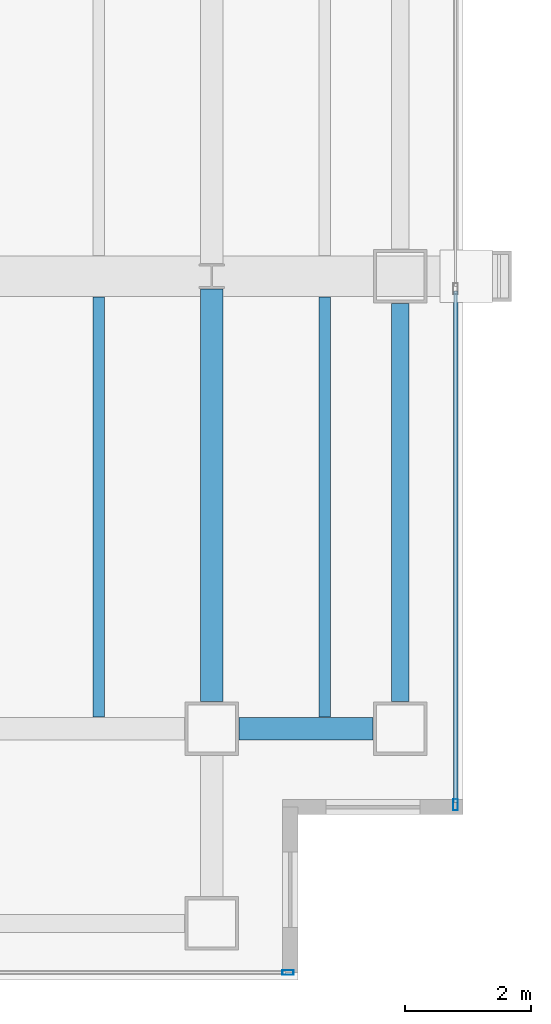
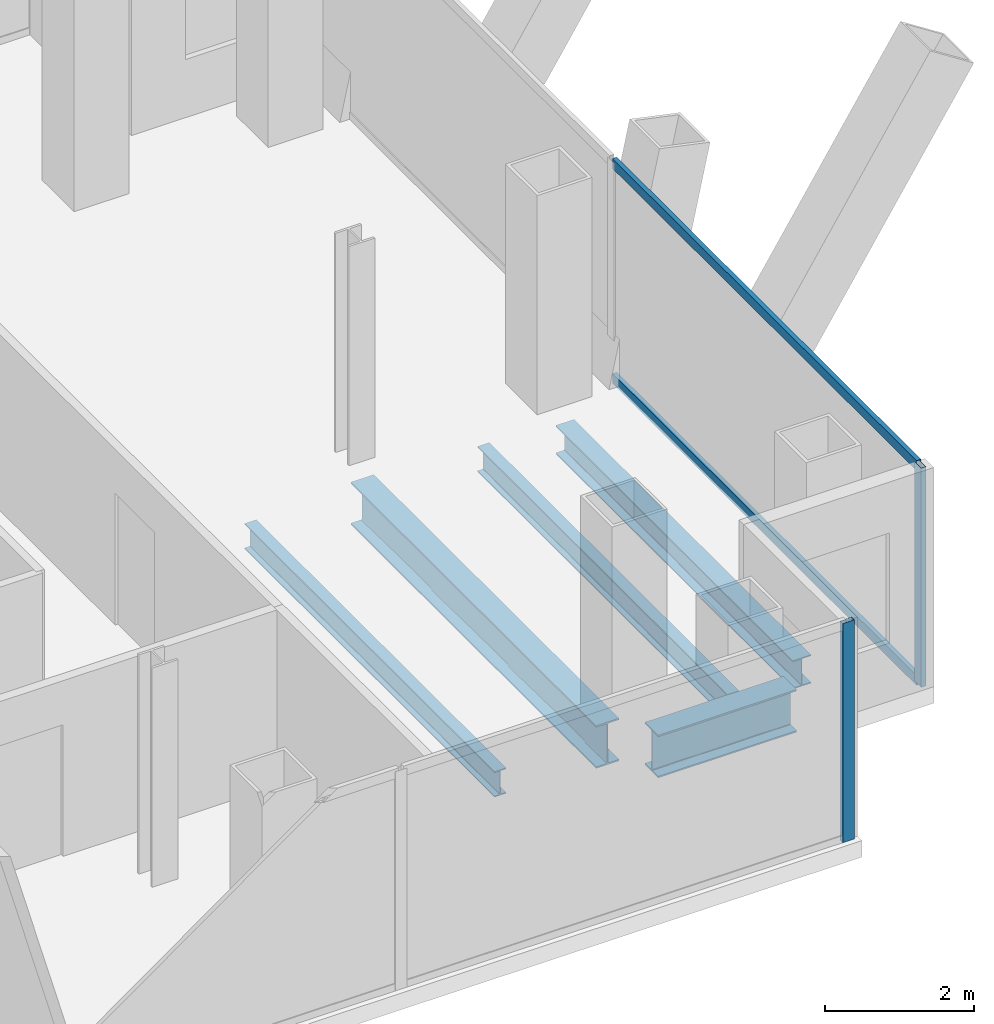
# One storey, part 11 of 23: 5 beams, 4 members, 2 elements without a shape of their own.
"""IFC4 building model written with IfcOpenShell, lengths in metres."""

from ifc_helpers import new_model, si_unit, direction, frame, origin, origin_2d, place, context, subcontext, project, spatial, hollow_rectangle, i_section, extrude, material, material_profile, profile_set, type_object, element, aggregate, save


model = new_model("IFC4")

# Units and contexts
model_context = context("Model", 3, precision=1e-05, world=origin(), true_north=direction((0.0, 1.0)))
body_context = subcontext(model_context, "Body", "Model", "MODEL_VIEW")
ifc_project = project(units=[si_unit("LENGTHUNIT", "METRE"), si_unit("AREAUNIT", "SQUARE_METRE"), si_unit("VOLUMEUNIT", "CUBIC_METRE"), si_unit("PLANEANGLEUNIT", "RADIAN"), si_unit("MASSUNIT", "GRAM", prefix="KILO")], contexts=[model_context])

# Site, building, storey
site_placement = place(None, origin())
site = spatial("IfcSite", under=ifc_project, at=site_placement, CompositionType="ELEMENT")
building_placement = place(site_placement, origin())
building = spatial("IfcBuilding", under=site, at=building_placement, Name="Cobrela Telecom Tower", CompositionType="ELEMENT")
storey_placement = place(building_placement, frame((0.0, 0.0, 159.949951171875)))
storey = spatial("IfcBuildingStorey", under=building, at=storey_placement, Name="L40", CompositionType="ELEMENT", Elevation=159.949951171875)

# Beams
ifc_material_1 = material(Name="Steel ASTM A992 Grade 50", Category="steel")
ifc_material_profile_1 = material_profile(ifc_material_1, i_section(OverallWidth=0.35595703125, OverallDepth=0.696044921875, WebThickness=0.015380859375, FlangeThickness=0.024658203125, FilletRadius=0.01806640625, at=origin_2d()), Name="W27X146")
ifc_profile_set_1 = profile_set([ifc_material_profile_1], Name="Steel ASTM A992 Grade 50")
beam_type_1 = type_object("IfcBeamType", Name="BM-GIRD-05", PredefinedType="USERDEFINED", material=ifc_profile_set_1)
beam_1_placement = place(storey_placement, frame((43.6298828125, 7.199951171875, -0.617919921875), z_axis=(1.0, 0.0, 0.0), x_axis=(0.0, 1.0, 0.0)))
element("IfcBeam", 1, at=beam_1_placement, inside=storey, type_object=beam_type_1, Name="L40 Primary Girder X12", ObjectType="GIRDER", PredefinedType="USERDEFINED", context=body_context, shape_type="SweptSolid", body=[
    extrude(i_section(OverallWidth=0.35595703125, OverallDepth=0.696044921875, WebThickness=0.015380859375, FlangeThickness=0.024658203125, FilletRadius=0.01806640625, at=origin_2d()), origin(), (0.0, 0.0, 1.0), 2.14013671875),
])
beam_2_placement = place(storey_placement, frame((43.199951171875, 7.6298828125, -0.617919921875), z_axis=(0.0, 1.0, 0.0), x_axis=(-1.0, 0.0, 0.0)))
element("IfcBeam", 2, at=beam_2_placement, inside=storey, type_object=beam_type_1, Name="L40 Primary Girder Y49", ObjectType="GIRDER", PredefinedType="USERDEFINED", context=body_context, shape_type="SweptSolid", body=[
    extrude(i_section(OverallWidth=0.35595703125, OverallDepth=0.696044921875, WebThickness=0.015380859375, FlangeThickness=0.024658203125, FilletRadius=0.01806640625, at=origin_2d()), origin(), (0.0, 0.0, 1.0), 6.565673828125),
])
ifc_material_profile_2 = material_profile(ifc_material_1, i_section(OverallWidth=0.179931640625, OverallDepth=0.4169921875, WebThickness=0.010986328125, FlangeThickness=0.01806640625, FilletRadius=0.011962890625, at=origin_2d()), Name="W16X57")
ifc_profile_set_2 = profile_set([ifc_material_profile_2], Name="Steel ASTM A992 Grade 50")
beam_type_2 = type_object("IfcBeamType", Name="BM-JOIST-04", PredefinedType="JOIST", material=ifc_profile_set_2)
for number, where, z_axis, x_axis, name in (
    (3, (41.39990234375, 7.383056640625, -0.478515625), (0.0, 1.0, 0.0), (-1.0, 0.0, 0.0), "L40 Secondary Composite Floor Beam J37"),
    (4, (45.0, 7.383056640625, -0.478515625), (0.0, 1.0, 0.0), (-1.0, 0.0, 0.0), "L40 Secondary Composite Floor Beam J39"),
):
    element("IfcBeam", number, at=place(storey_placement, frame(where, z_axis=z_axis, x_axis=x_axis)), inside=storey, type_object=beam_type_2, Name=name, PredefinedType="JOIST", context=body_context, shape_type="SweptSolid", body=[
        extrude(i_section(OverallWidth=0.179931640625, OverallDepth=0.4169921875, WebThickness=0.010986328125, FlangeThickness=0.01806640625, FilletRadius=0.011962890625, at=origin_2d()), origin(), (0.0, 0.0, 1.0), 6.68701171875),
    ])
ifc_material_profile_3 = material_profile(ifc_material_1, i_section(OverallWidth=0.281982421875, OverallDepth=0.467041015625, WebThickness=0.01220703125, FlangeThickness=0.01953125, FilletRadius=0.012939453125, at=origin_2d()), Name="W18X86")
ifc_profile_set_3 = profile_set([ifc_material_profile_3], Name="Steel ASTM A992 Grade 50")
beam_type_3 = type_object("IfcBeamType", Name="BM-SPAND-04", PredefinedType="SPANDREL", material=ifc_profile_set_3)
beam_3_placement = place(storey_placement, frame((46.199951171875, 7.6298828125, -0.50341796875), z_axis=(0.0, 1.0, 0.0), x_axis=(-1.0, 0.0, 0.0)))
element("IfcBeam", 5, at=beam_3_placement, inside=storey, type_object=beam_type_3, Name="L40 Perimeter Spandrel Y51", PredefinedType="SPANDREL", context=body_context, shape_type="SweptSolid", body=[
    extrude(i_section(OverallWidth=0.281982421875, OverallDepth=0.467041015625, WebThickness=0.01220703125, FlangeThickness=0.01953125, FilletRadius=0.012939453125, at=origin_2d()), origin(), (0.0, 0.0, 1.0), 6.340087890625),
])

# Curtain wall, member
ifc_material_2 = material(Name="Anodized Bronze Aluminium 6063-T6", Category="aluminium")
curtain_wall_type = type_object("IfcCurtainWallType", Name="CW-SYS-TEL", PredefinedType="USERDEFINED", material=ifc_material_2)
curtain_wall_1_placement = place(storey_placement, origin())
curtain_wall_1 = element("IfcCurtainWall", 6, at=curtain_wall_1_placement, inside=storey, type_object=curtain_wall_type, Name="L40 Unitised Bronze Curtain Wall 14", ObjectType="UNITISED CURTAIN WALL", PredefinedType="USERDEFINED")
ifc_material_profile_4 = material_profile(ifc_material_2, hollow_rectangle(XDim=0.074951171875, YDim=0.179931640625, WallThickness=0.00390625, at=origin_2d()), Name="ALU 75x180x4")
ifc_profile_set_4 = profile_set([ifc_material_profile_4], Name="Anodized Bronze Aluminium 6063-T6")
member_type_1 = type_object("IfcMemberType", Name="CW-SYS-TEL-MUL", PredefinedType="MULLION", material=ifc_profile_set_4)
member_1_placement = place(storey_placement, frame((47.080078125, 5.987548828125, 0.0), z_axis=(0.0, 0.0, 1.0), x_axis=(1.0, 0.0, 0.0)))
member_1 = element("IfcMember", 7, at=member_1_placement, type_object=member_type_1, Name="CW-TEL mullion 3", PredefinedType="MULLION", context=body_context, shape_type="SweptSolid", body=[
    extrude(hollow_rectangle(XDim=0.074951171875, YDim=0.179931640625, WallThickness=0.00390625, at=origin_2d()), origin(), (0.0, 0.0, 1.0), 3.580078125),
])

curtain_wall_2_placement = place(storey_placement, origin())
curtain_wall_2 = element("IfcCurtainWall", 8, at=curtain_wall_2_placement, inside=storey, type_object=curtain_wall_type, Name="L40 Unitised Bronze Curtain Wall 17", ObjectType="UNITISED CURTAIN WALL", PredefinedType="USERDEFINED")
member_2_placement = place(storey_placement, frame((44.41259765625, 3.320068359375, 0.0), z_axis=(0.0, 0.0, 1.0), x_axis=(0.0, -1.0, 0.0)))
member_2 = element("IfcMember", 9, at=member_2_placement, type_object=member_type_1, Name="CW-TEL mullion 1", PredefinedType="MULLION", context=body_context, shape_type="SweptSolid", body=[
    extrude(hollow_rectangle(XDim=0.074951171875, YDim=0.179931640625, WallThickness=0.00390625, at=origin_2d()), origin(), (0.0, 0.0, 1.0), 3.580078125),
])
aggregate(curtain_wall_2, [member_2])

# Member
ifc_material_profile_5 = material_profile(ifc_material_2, hollow_rectangle(XDim=0.070068359375, YDim=0.159912109375, WallThickness=0.00390625, at=origin_2d()), Name="ALU 70x160x4")
ifc_profile_set_5 = profile_set([ifc_material_profile_5], Name="Anodized Bronze Aluminium 6063-T6")
member_type_2 = type_object("IfcMemberType", Name="CW-SYS-TEL-TRN", PredefinedType="USERDEFINED", material=ifc_profile_set_5)
member_3_placement = place(storey_placement, frame((47.080078125, 14.16259765625, 0.03515625), z_axis=(0.0, -1.0, 0.0), x_axis=(1.0, 0.0, 0.0)))
member_3 = element("IfcMember", 10, at=member_3_placement, type_object=member_type_2, Name="CW-TEL transom 2.1", ObjectType="TRANSOM", PredefinedType="USERDEFINED", context=body_context, shape_type="SweptSolid", body=[
    extrude(hollow_rectangle(XDim=0.070068359375, YDim=0.159912109375, WallThickness=0.00390625, at=origin_2d()), origin(), (0.0, 0.0, 1.0), 8.1376953125),
])

member_4_placement = place(storey_placement, frame((47.080078125, 14.16259765625, 3.545166015625), z_axis=(0.0, -1.0, 0.0), x_axis=(1.0, 0.0, 0.0)))
member_4 = element("IfcMember", 11, at=member_4_placement, type_object=member_type_2, Name="CW-TEL transom 2.2", ObjectType="TRANSOM", PredefinedType="USERDEFINED", context=body_context, shape_type="SweptSolid", body=[
    extrude(hollow_rectangle(XDim=0.070068359375, YDim=0.159912109375, WallThickness=0.00390625, at=origin_2d()), origin(), (0.0, 0.0, 1.0), 8.1376953125),
])

aggregate(curtain_wall_1, [member_1, member_3, member_4])

save(model, "model.ifc")
